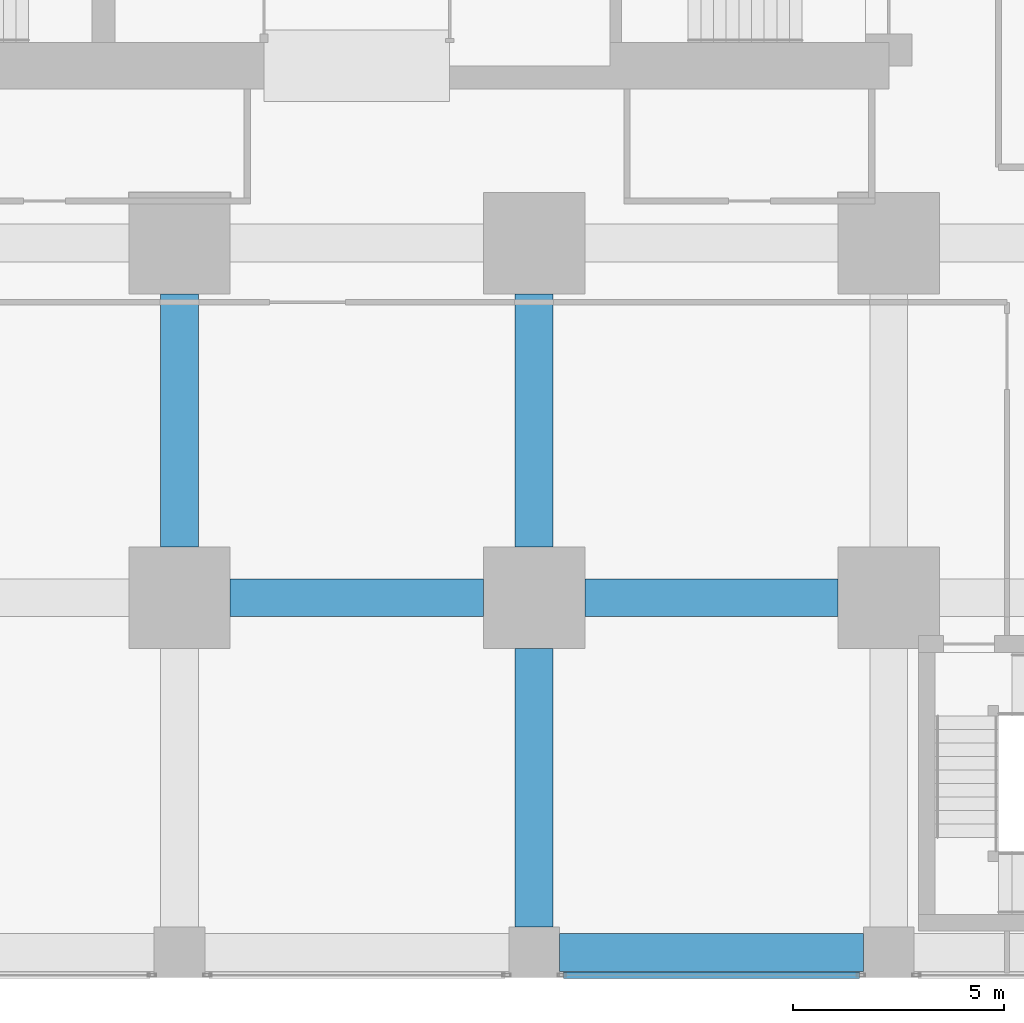
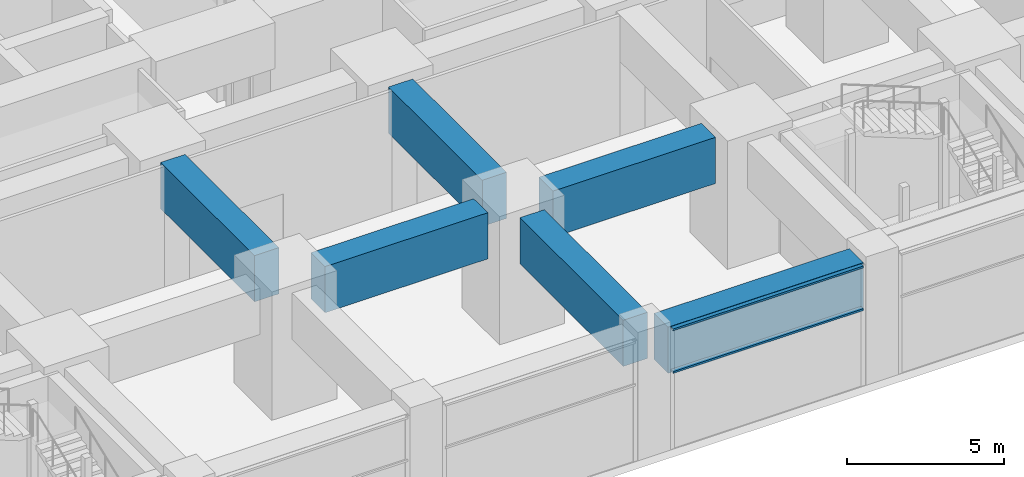
# One storey, part 14 of 49: 6 beams, 2 members, 1 element without a shape of its own.
"""IFC4 building model written with IfcOpenShell, lengths in metres."""

from ifc_helpers import new_model, si_unit, direction, frame, origin, origin_2d, place, context, subcontext, project, spatial, rectangle, hollow_rectangle, extrude, material, material_profile, profile_set, type_object, element, aggregate, save


model = new_model("IFC4")

# Units and contexts
model_context = context("Model", 3, precision=1e-05, world=origin(), true_north=direction((0.0, 1.0)))
body_context = subcontext(model_context, "Body", "Model", "MODEL_VIEW")
ifc_project = project(units=[si_unit("LENGTHUNIT", "METRE"), si_unit("AREAUNIT", "SQUARE_METRE"), si_unit("VOLUMEUNIT", "CUBIC_METRE"), si_unit("PLANEANGLEUNIT", "RADIAN"), si_unit("MASSUNIT", "GRAM", prefix="KILO")], contexts=[model_context])

# Site, building, storey
site_placement = place(None, origin())
site = spatial("IfcSite", under=ifc_project, at=site_placement, CompositionType="ELEMENT")
building_placement = place(site_placement, origin())
building = spatial("IfcBuilding", under=site, at=building_placement, Name="Rekha Terrace Tower", CompositionType="ELEMENT")
storey_placement = place(building_placement, frame((0.0, 0.0, 5.39990234375)))
storey = spatial("IfcBuildingStorey", under=building, at=storey_placement, Name="L01", CompositionType="ELEMENT", Elevation=5.39990234375)

# Curtain wall, members
ifc_material_1 = material(Name="Aluminium framing", Category="aluminium")
curtain_wall_type = type_object("IfcCurtainWallType", Name="CW4 podium shopfront glazing", PredefinedType="USERDEFINED", material=ifc_material_1)
curtain_wall_placement = place(storey_placement, origin())
curtain_wall = element("IfcCurtainWall", 1, at=curtain_wall_placement, inside=storey, type_object=curtain_wall_type, Name="CW4 shopfront curtain wall", ObjectType="SHOPFRONT CURTAIN WALL", PredefinedType="USERDEFINED")
ifc_material_2 = material(Name="Aluminium transom section", Category="aluminium")
ifc_material_profile_1 = material_profile(ifc_material_2, hollow_rectangle(XDim=0.14990234375, YDim=0.074951171875, WallThickness=0.0029296875, at=origin_2d()), Name="AL RHS 150x75")
ifc_profile_set_1 = profile_set([ifc_material_profile_1], Name="Aluminium transom section")
member_type = type_object("IfcMemberType", Name="CW4 transom RHS 75 x 150", PredefinedType="USERDEFINED", material=ifc_profile_set_1)
member_1_placement = place(storey_placement, frame((42.695068359375, -0.5400390625, 3.0), z_axis=(1.0, 0.0, 0.0), x_axis=(0.0, 1.0, 0.0)))
member_1 = element("IfcMember", 2, at=member_1_placement, type_object=member_type, Name="CW4 transom 1.2", ObjectType="TRANSOM", PredefinedType="USERDEFINED", context=body_context, shape_type="SweptSolid", body=[
    extrude(hollow_rectangle(XDim=0.14990234375, YDim=0.074951171875, WallThickness=0.0029296875, at=origin_2d()), origin(), (0.0, 0.0, 1.0), 7.010009765625),
])
member_2_placement = place(storey_placement, frame((42.695068359375, -0.5400390625, 4.66259765625), z_axis=(1.0, 0.0, 0.0), x_axis=(0.0, 1.0, 0.0)))
member_2 = element("IfcMember", 3, at=member_2_placement, type_object=member_type, Name="CW4 transom 1.3", ObjectType="TRANSOM", PredefinedType="USERDEFINED", context=body_context, shape_type="SweptSolid", body=[
    extrude(hollow_rectangle(XDim=0.14990234375, YDim=0.074951171875, WallThickness=0.0029296875, at=origin_2d()), origin(), (0.0, 0.0, 1.0), 7.010009765625),
])
aggregate(curtain_wall, [member_1, member_2])

# Beams
ifc_material_3 = material(Name="Concrete M60", Category="concrete")
ifc_material_profile_2 = material_profile(ifc_material_3, rectangle(XDim=0.89990234375, YDim=1.800048828125, at=origin_2d()), Name="RC 900x1800")
ifc_profile_set_2 = profile_set([ifc_material_profile_2], Name="Concrete M60")
beam_type = type_object("IfcBeamType", Name="G1 900x1800 podium floor beam", PredefinedType="BEAM", material=ifc_profile_set_2)
for number, where, z_axis, x_axis, name in (
    (4, (34.800048828125, 8.39990234375, 3.800048828125), (1.0, 0.0, 0.0), (0.0, 1.0, 0.0), "Beam G1 5B-6B under L02"),
    (5, (33.60009765625, 9.60009765625, 3.800048828125), (0.0, 1.0, 0.0), (-1.0, 0.0, 0.0), "Beam G1 5B-5C under L02"),
):
    element("IfcBeam", number, at=place(storey_placement, frame(where, z_axis=z_axis, x_axis=x_axis)), inside=storey, type_object=beam_type, Name=name, PredefinedType="BEAM", context=body_context, shape_type="SweptSolid", body=[
        extrude(rectangle(XDim=0.89990234375, YDim=1.800048828125, at=origin_2d()), origin(), (0.0, 0.0, 1.0), 6.0),
    ])
beam_1_placement = place(storey_placement, frame((42.60009765625, 0.0, 3.800048828125), z_axis=(1.0, 0.0, 0.0), x_axis=(0.0, 1.0, 0.0)))
element("IfcBeam", 6, at=beam_1_placement, inside=storey, type_object=beam_type, Name="Beam G1 6A-7A under L02", PredefinedType="BEAM", context=body_context, shape_type="SweptSolid", body=[
    extrude(rectangle(XDim=0.89990234375, YDim=1.800048828125, at=origin_2d()), origin(), (0.0, 0.0, 1.0), 7.199951171875),
])
beam_2_placement = place(storey_placement, frame((42.0, 0.60009765625, 3.800048828125), z_axis=(0.0, 1.0, 0.0), x_axis=(-1.0, 0.0, 0.0)))
element("IfcBeam", 7, at=beam_2_placement, inside=storey, type_object=beam_type, Name="Beam G1 6A-6B under L02", PredefinedType="BEAM", context=body_context, shape_type="SweptSolid", body=[
    extrude(rectangle(XDim=0.89990234375, YDim=1.800048828125, at=origin_2d()), origin(), (0.0, 0.0, 1.0), 6.599853515625),
])
for number, where, z_axis, x_axis, name in (
    (8, (43.199951171875, 8.39990234375, 3.800048828125), (1.0, 0.0, 0.0), (0.0, 1.0, 0.0), "Beam G1 6B-7B under L02"),
    (9, (42.0, 9.60009765625, 3.800048828125), (0.0, 1.0, 0.0), (-1.0, 0.0, 0.0), "Beam G1 6B-6C under L02"),
):
    element("IfcBeam", number, at=place(storey_placement, frame(where, z_axis=z_axis, x_axis=x_axis)), inside=storey, type_object=beam_type, Name=name, PredefinedType="BEAM", context=body_context, shape_type="SweptSolid", body=[
        extrude(rectangle(XDim=0.89990234375, YDim=1.800048828125, at=origin_2d()), origin(), (0.0, 0.0, 1.0), 6.0),
    ])

save(model, "model.ifc")
